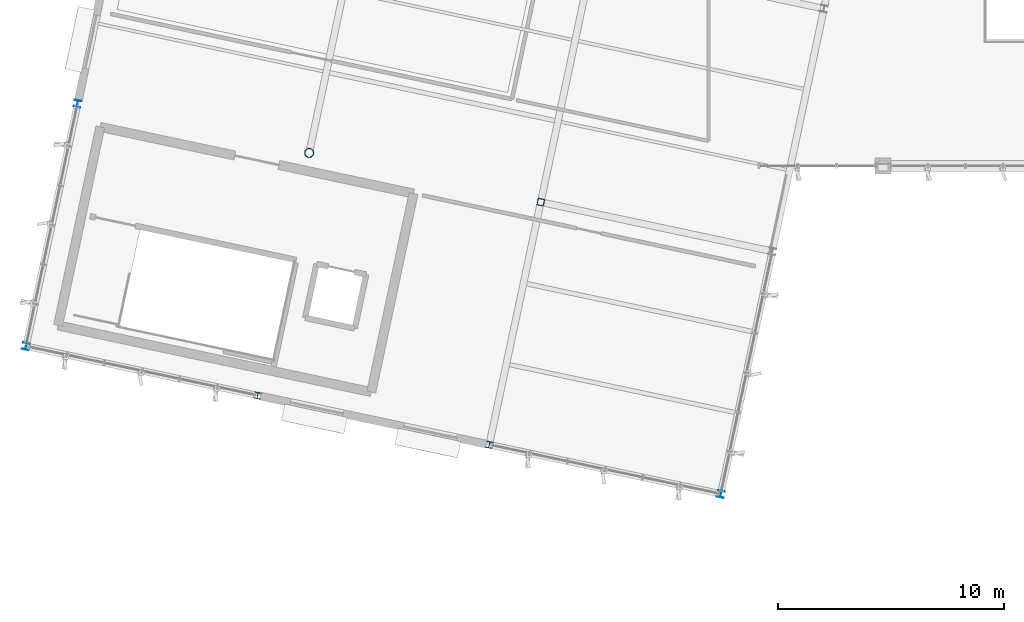
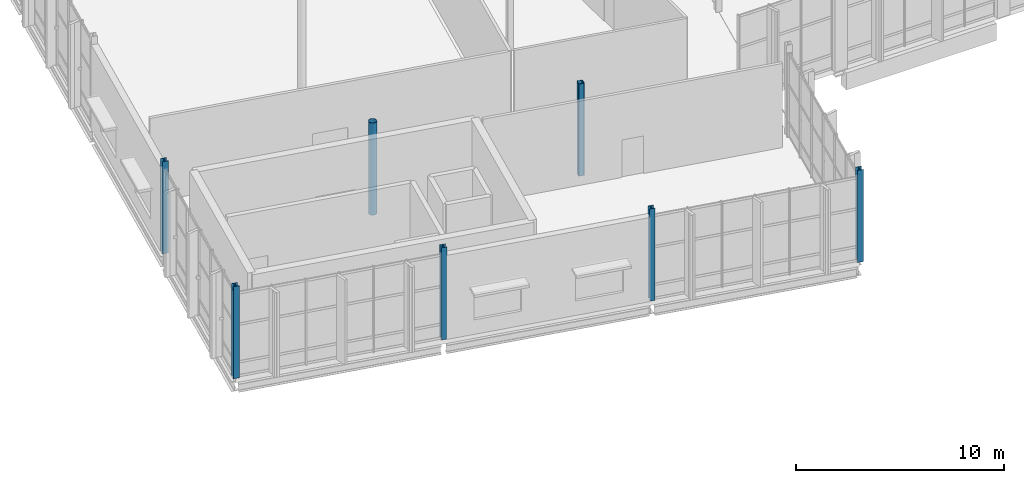
# One storey, part 2 of 176: 7 columns.
"""IFC4 building model written with IfcOpenShell, lengths in metres."""

from ifc_helpers import new_model, si_unit, direction, frame, origin, origin_2d, place, context, subcontext, project, spatial, hollow_rectangle, hollow_circle, i_section, extrude, material, material_profile, profile_set, type_object, element, save


model = new_model("IFC4")

# Units and contexts
model_context = context("Model", 3, precision=1e-05, world=origin(), true_north=direction((0.0, 1.0)))
body_context = subcontext(model_context, "Body", "Model", "MODEL_VIEW")
ifc_project = project(units=[si_unit("LENGTHUNIT", "METRE"), si_unit("AREAUNIT", "SQUARE_METRE"), si_unit("VOLUMEUNIT", "CUBIC_METRE"), si_unit("PLANEANGLEUNIT", "RADIAN"), si_unit("MASSUNIT", "GRAM", prefix="KILO")], contexts=[model_context])

# Site, building, storey
site_placement = place(None, origin())
site = spatial("IfcSite", under=ifc_project, at=site_placement, CompositionType="ELEMENT")
building_placement = place(site_placement, origin())
building = spatial("IfcBuilding", under=site, at=building_placement, Name="Khorjan Park Terminus", CompositionType="ELEMENT")
storey_placement = place(building_placement, frame((0.0, 0.0, 6.0)))
storey = spatial("IfcBuildingStorey", under=building, at=storey_placement, Name="L01", CompositionType="ELEMENT", Elevation=6.0)

# Columns
ifc_material = material(Name="Steel S355", Category="steel")
ifc_material_profile_1 = material_profile(ifc_material, i_section(OverallWidth=0.28, OverallDepth=0.28, WebThickness=0.0105, FlangeThickness=0.018, FilletRadius=0.024, at=origin_2d()), Name="HEB 280")
ifc_profile_set_1 = profile_set([ifc_material_profile_1], Name="Steel S355")
column_type_1 = type_object("IfcColumnType", Name="COL-HB280E", PredefinedType="COLUMN", material=ifc_profile_set_1)
for number, where, z_axis, x_axis, name in (
    (1, (4.271, 39.817, 0.0), (0.0, 0.0, 1.0), (0.978147600734, -0.207911690818, 0.0), "Structural column SC-H28 (L01 #612)"),
    (2, (14.541, 37.634, 0.0), (0.0, 0.0, 1.0), (0.978147600734, -0.207911690818, 0.0), "Structural column SC-H28 (L01 #626)"),
):
    element("IfcColumn", number, at=place(storey_placement, frame(where, z_axis=z_axis, x_axis=x_axis)), inside=storey, type_object=column_type_1, Name=name, PredefinedType="COLUMN", context=body_context, shape_type="SweptSolid", body=[
        extrude(i_section(OverallWidth=0.28, OverallDepth=0.28, WebThickness=0.0105, FlangeThickness=0.018, FilletRadius=0.024, at=origin_2d()), origin(), (0.0, 0.0, 1.0), 5.4),
    ])
ifc_material_profile_2 = material_profile(ifc_material, i_section(OverallWidth=0.3, OverallDepth=0.3, WebThickness=0.011, FlangeThickness=0.019, FilletRadius=0.027, at=origin_2d()), Name="HEB 300")
ifc_profile_set_2 = profile_set([ifc_material_profile_2], Name="Steel S355")
column_type_2 = type_object("IfcColumnType", Name="COL-HB300E", PredefinedType="COLUMN", material=ifc_profile_set_2)
for number, where, z_axis, x_axis, name in (
    (3, (-6.0, 42.0, 0.0), (0.0, 0.0, 1.0), (0.978147600734, -0.207911690818, 0.0), "Structural column SC-H30 (L01 #598)"),
    (4, (-3.713, 52.76, 0.0), (0.0, 0.0, 1.0), (0.978147600734, -0.207911690818, 0.0), "Structural column SC-H30 (L01 #601)"),
    (5, (24.812, 35.451, 0.0), (0.0, 0.0, 1.0), (0.978147600734, -0.207911690818, 0.0), "Structural column SC-H30 (L01 #640)"),
):
    element("IfcColumn", number, at=place(storey_placement, frame(where, z_axis=z_axis, x_axis=x_axis)), inside=storey, type_object=column_type_2, Name=name, PredefinedType="COLUMN", context=body_context, shape_type="SweptSolid", body=[
        extrude(i_section(OverallWidth=0.3, OverallDepth=0.3, WebThickness=0.011, FlangeThickness=0.019, FilletRadius=0.027, at=origin_2d()), origin(), (0.0, 0.0, 1.0), 5.4),
    ])
ifc_material_profile_3 = material_profile(ifc_material, hollow_circle(Radius=0.2032, WallThickness=0.016, at=origin_2d()), Name="CHS 406.4x16")
ifc_profile_set_3 = profile_set([ifc_material_profile_3], Name="Steel S355")
column_type_3 = type_object("IfcColumnType", Name="COL-SH406", PredefinedType="COLUMN", material=ifc_profile_set_3)
column_1_placement = place(storey_placement, frame((6.558, 50.577, 0.0), z_axis=(0.0, 0.0, 1.0), x_axis=(0.978147600734, -0.207911690818, 0.0)))
element("IfcColumn", 6, at=column_1_placement, inside=storey, type_object=column_type_3, Name="Structural column SC-41 (L01 #615)", PredefinedType="COLUMN", context=body_context, shape_type="SweptSolid", body=[
    extrude(hollow_circle(Radius=0.2032, WallThickness=0.016, at=origin_2d()), origin(), (0.0, 0.0, 1.0), 5.4),
])
ifc_material_profile_4 = material_profile(ifc_material, hollow_rectangle(XDim=0.3, YDim=0.3, WallThickness=0.016, InnerFilletRadius=0.016, OuterFilletRadius=0.032, at=origin_2d()), Name="SHS 300x300x16")
ifc_profile_set_4 = profile_set([ifc_material_profile_4], Name="Steel S355")
column_type_4 = type_object("IfcColumnType", Name="COL-SHS300", PredefinedType="COLUMN", material=ifc_profile_set_4)
column_2_placement = place(storey_placement, frame((16.828, 48.394, 0.0), z_axis=(0.0, 0.0, 1.0), x_axis=(0.978147600734, -0.207911690818, 0.0)))
element("IfcColumn", 7, at=column_2_placement, inside=storey, type_object=column_type_4, Name="Structural column SC-S30 (L01 #629)", PredefinedType="COLUMN", context=body_context, shape_type="SweptSolid", body=[
    extrude(hollow_rectangle(XDim=0.3, YDim=0.3, WallThickness=0.016, InnerFilletRadius=0.016, OuterFilletRadius=0.032, at=origin_2d()), origin(), (0.0, 0.0, 1.0), 5.4),
])

save(model, "model.ifc")
